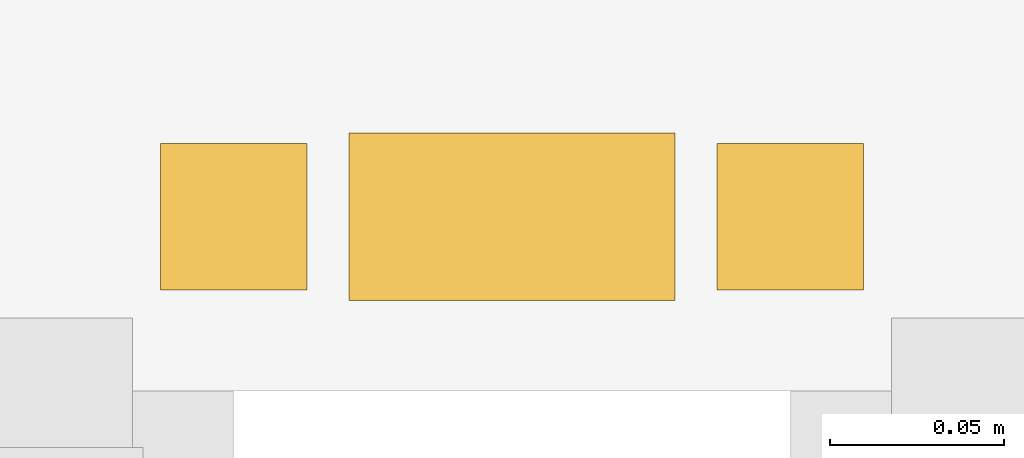
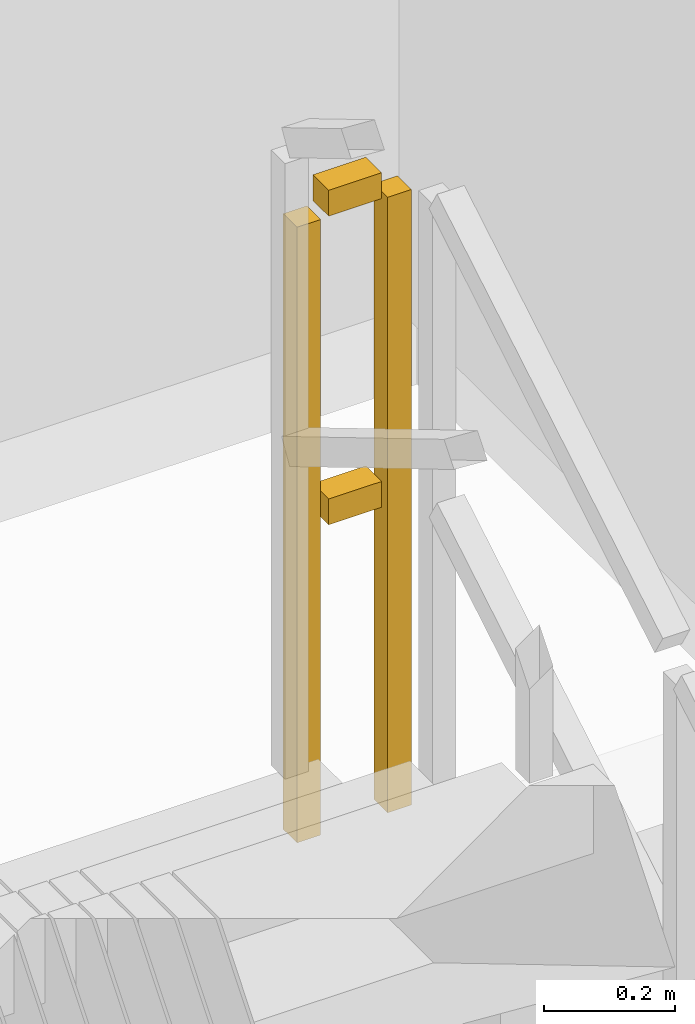
# One storey, part 25 of 25: 1 railing.
"""IFC4 building model written with IfcOpenShell, lengths in metres."""

from ifc_helpers import new_model, si_unit, direction, frame, origin, origin_2d, place, context, subcontext, project, spatial, rectangle, extrude, material, type_object, element, save


model = new_model("IFC4")

# Units and contexts
model_context = context("Model", 3, precision=1e-05, world=origin(), true_north=direction((0.0, 1.0)))
body_context = subcontext(model_context, "Body", "Model", "MODEL_VIEW")
ifc_project = project(units=[si_unit("LENGTHUNIT", "METRE"), si_unit("AREAUNIT", "SQUARE_METRE"), si_unit("VOLUMEUNIT", "CUBIC_METRE"), si_unit("PLANEANGLEUNIT", "RADIAN"), si_unit("MASSUNIT", "GRAM", prefix="KILO")], contexts=[model_context])

# Site, building, storey
site_placement = place(None, origin())
site = spatial("IfcSite", under=ifc_project, at=site_placement, CompositionType="ELEMENT")
building_placement = place(site_placement, origin())
building = spatial("IfcBuilding", under=site, at=building_placement, Name="Saelheon Loggia Tower", CompositionType="ELEMENT")
storey_placement = place(building_placement, frame((0.0, 0.0, 80.85009765625)))
storey = spatial("IfcBuildingStorey", under=building, at=storey_placement, Name="L25", CompositionType="ELEMENT", Elevation=80.85009765625)

# Railing
ifc_material = material(Name="Galvanised Steel S275 Stairwell Guardrail", Category="steel")
railing_type = type_object("IfcRailingType", Name="Guard_StairWell_RL_STG", PredefinedType="GUARDRAIL", material=ifc_material)
railing_placement = place(storey_placement, frame((42.489990234375, 32.739990234375, 1.5)))
element("IfcRailing", 1, at=railing_placement, inside=storey, type_object=railing_type, Name="L25 ST2 stair guard 2", PredefinedType="GUARDRAIL", context=body_context, shape_type="SweptSolid", body=[
    extrude(rectangle(XDim=0.048095703125, YDim=0.048095703125, at=origin_2d()), frame((-0.033203125, 0.0, 1.17578125), z_axis=(-1.0, 0.0, 0.0), x_axis=(0.0, -1.0, 0.0)), (0.0, 0.0, 1.0), 0.093505859375),
    extrude(rectangle(XDim=0.048095703125, YDim=0.048095703125, at=origin_2d()), frame((-0.033203125, 0.0, 0.60009765625), z_axis=(-1.0, 0.0, 0.0), x_axis=(0.0, -1.0, 0.0)), (0.0, 0.0, 1.0), 0.093505859375),
    extrude(rectangle(XDim=0.0419921875, YDim=0.0419921875, at=origin_2d()), origin(), (0.0, 0.0, 1.0), 1.14794921875),
    extrude(rectangle(XDim=0.0419921875, YDim=0.0419921875, at=origin_2d()), frame((-0.159912109375, 0.0, 0.0)), (0.0, 0.0, 1.0), 1.14794921875),
])

save(model, "model.ifc")
